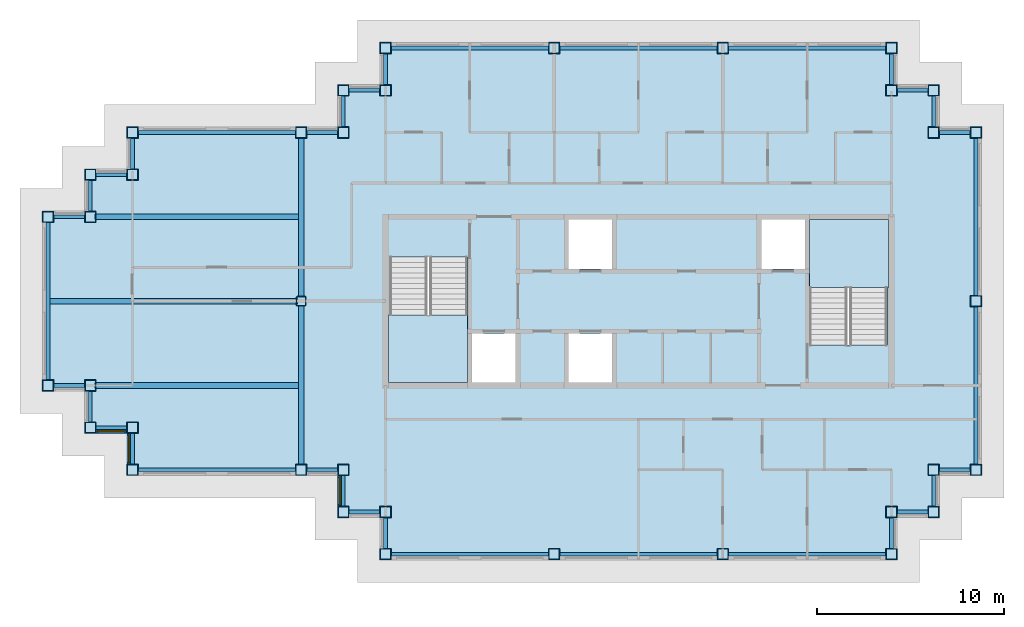
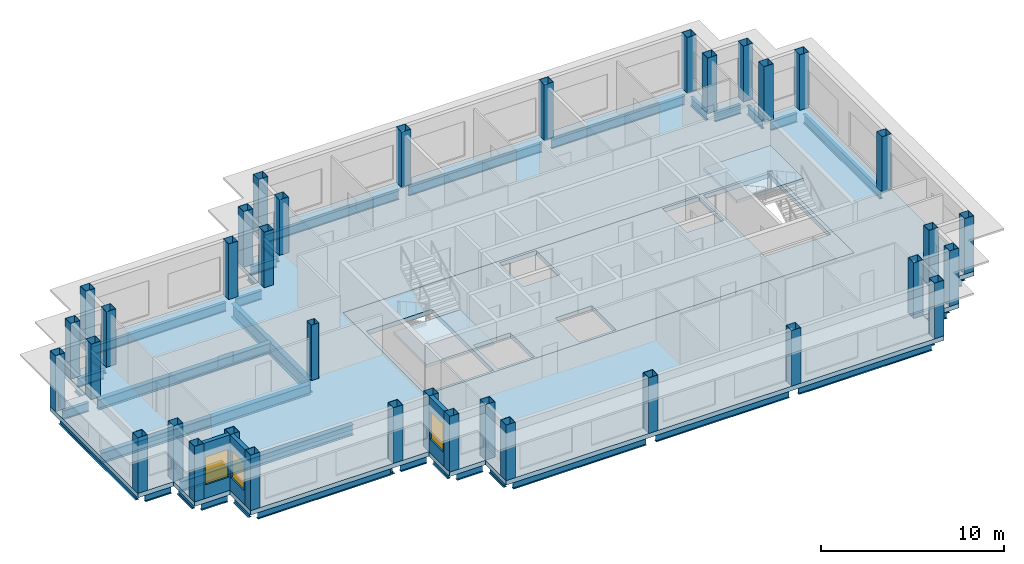
# One storey, part 1 of 11: 40 beams, 36 columns, 4 slabs, 3 walls, 3 windows, 3 openings, 2 elements without a shape of their own.
"""IFC4 building model written with IfcOpenShell, lengths in metres."""

from ifc_helpers import new_model, si_unit, direction, frame, frame_2d, origin, origin_2d, place, context, subcontext, project, spatial, polyline, rectangle, hollow_rectangle, i_section, outline, extrude, material, layer, layer_set, material_profile, profile_set, type_object, element, fill, aggregate, save


model = new_model("IFC4")

# Units and contexts
model_context = context("Model", 3, precision=1e-05, world=origin(), true_north=direction((0.0, 1.0)))
body_context = subcontext(model_context, "Body", "Model", "MODEL_VIEW")
ifc_project = project(units=[si_unit("LENGTHUNIT", "METRE"), si_unit("AREAUNIT", "SQUARE_METRE"), si_unit("VOLUMEUNIT", "CUBIC_METRE"), si_unit("PLANEANGLEUNIT", "RADIAN"), si_unit("MASSUNIT", "GRAM", prefix="KILO")], contexts=[model_context])

# Site, building, storey
site_placement = place(None, origin())
site = spatial("IfcSite", under=ifc_project, at=site_placement, CompositionType="ELEMENT")
building_placement = place(site_placement, origin())
building = spatial("IfcBuilding", under=site, at=building_placement, Name="Caravel Reach Hotel and Residences", CompositionType="ELEMENT")
storey_placement = place(building_placement, frame((0.0, 0.0, 271.199951171875)))
storey = spatial("IfcBuildingStorey", under=building, at=storey_placement, Name="L69", CompositionType="ELEMENT", Elevation=271.199951171875)

# Columns
ifc_material_1 = material(Name="Concrete-filled steel tube Q390B with Concrete C60 infill", Category="concrete")
ifc_material_profile_1 = material_profile(ifc_material_1, hollow_rectangle(XDim=0.5, YDim=0.5, WallThickness=0.01611328125, InnerFilletRadius=0.031982421875, OuterFilletRadius=0.048095703125, at=origin_2d()), Name="RHS 500x500x16")
ifc_profile_set_1 = profile_set([ifc_material_profile_1], Name="Concrete-filled steel tube Q390B with Concrete C60 infill")
column_type_1 = type_object("IfcColumnType", Name="CFT 500x500 Q390B C60", PredefinedType="COLUMN", material=ifc_profile_set_1)
column_placement = place(storey_placement, frame((13.5, 27.0, 0.0), z_axis=(0.0, 0.0, 1.0), x_axis=(1.0, 0.0, 0.0)))
element("IfcColumn", 1, at=column_placement, inside=storey, type_object=column_type_1, Name="C9 column", PredefinedType="COLUMN", context=body_context, shape_type="SweptSolid", body=[
    extrude(hollow_rectangle(XDim=0.5, YDim=0.5, WallThickness=0.01611328125, InnerFilletRadius=0.031982421875, OuterFilletRadius=0.048095703125, at=origin_2d()), origin(), (0.0, 0.0, 1.0), 3.699951171875),
])
ifc_material_2 = material(Name="Concrete-filled steel tube Q390B with Concrete C60 infill", Category="concrete")
ifc_material_profile_2 = material_profile(ifc_material_2, hollow_rectangle(XDim=0.60009765625, YDim=0.60009765625, WallThickness=0.02001953125, at=origin_2d()), Name="RHS 600x600x20")
ifc_profile_set_2 = profile_set([ifc_material_profile_2], Name="Concrete-filled steel tube Q390B with Concrete C60 infill")
column_type_2 = type_object("IfcColumnType", Name="CFT 600x600 Q390B C60", PredefinedType="COLUMN", material=ifc_profile_set_2)
for number, where, z_axis, x_axis, name in (
    (2, (15.75, 18.0, 0.0), (0.0, 0.0, 1.0), (1.0, 0.0, 0.0), "C8 column"),
    (3, (15.75, 15.75, 0.0), (0.0, 0.0, 1.0), (1.0, 0.0, 0.0), "C8 column"),
    (4, (18.0, 15.75, 0.0), (0.0, 0.0, 1.0), (1.0, 0.0, 0.0), "C8 column"),
    (5, (18.0, 13.5, 0.0), (0.0, 0.0, 1.0), (1.0, 0.0, 0.0), "C8 column"),
    (6, (27.0, 13.5, 0.0), (0.0, 0.0, 1.0), (1.0, 0.0, 0.0), "C8 column"),
    (7, (36.0, 13.5, 0.0), (0.0, 0.0, 1.0), (1.0, 0.0, 0.0), "C8 column"),
    (8, (45.0, 13.5, 0.0), (0.0, 0.0, 1.0), (1.0, 0.0, 0.0), "C8 column"),
    (9, (45.0, 15.75, 0.0), (0.0, 0.0, 1.0), (1.0, 0.0, 0.0), "C8 column"),
    (10, (47.25, 15.75, 0.0), (0.0, 0.0, 1.0), (1.0, 0.0, 0.0), "C8 column"),
    (11, (47.25, 18.0, 0.0), (0.0, 0.0, 1.0), (1.0, 0.0, 0.0), "C8 column"),
    (12, (49.5, 18.0, 0.0), (0.0, 0.0, 1.0), (1.0, 0.0, 0.0), "C8 column"),
    (13, (49.5, 27.0, 0.0), (0.0, 0.0, 1.0), (1.0, 0.0, 0.0), "C8 column"),
    (14, (49.5, 36.0, 0.0), (0.0, 0.0, 1.0), (1.0, 0.0, 0.0), "C8 column"),
    (15, (47.25, 36.0, 0.0), (0.0, 0.0, 1.0), (1.0, 0.0, 0.0), "C8 column"),
    (16, (47.25, 38.25, 0.0), (0.0, 0.0, 1.0), (1.0, 0.0, 0.0), "C8 column"),
    (17, (45.0, 38.25, 0.0), (0.0, 0.0, 1.0), (1.0, 0.0, 0.0), "C8 column"),
    (18, (45.0, 40.5, 0.0), (0.0, 0.0, 1.0), (1.0, 0.0, 0.0), "C8 column"),
    (19, (36.0, 40.5, 0.0), (0.0, 0.0, 1.0), (1.0, 0.0, 0.0), "C8 column"),
    (20, (27.0, 40.5, 0.0), (0.0, 0.0, 1.0), (1.0, 0.0, 0.0), "C8 column"),
    (21, (18.0, 40.5, 0.0), (0.0, 0.0, 1.0), (1.0, 0.0, 0.0), "C8 column"),
    (22, (18.0, 38.25, 0.0), (0.0, 0.0, 1.0), (1.0, 0.0, 0.0), "C8 column"),
    (23, (15.75, 38.25, 0.0), (0.0, 0.0, 1.0), (1.0, 0.0, 0.0), "C8 column"),
    (24, (15.75, 36.0, 0.0), (0.0, 0.0, 1.0), (1.0, 0.0, 0.0), "C8 column"),
    (25, (13.5, 36.0, 0.0), (0.0, 0.0, 1.0), (1.0, 0.0, 0.0), "C8 column"),
    (26, (4.5, 36.0, 0.0), (0.0, 0.0, 1.0), (1.0, 0.0, 0.0), "C8 column"),
    (27, (4.5, 33.75, 0.0), (0.0, 0.0, 1.0), (1.0, 0.0, 0.0), "C8 column"),
    (28, (2.25, 33.75, 0.0), (0.0, 0.0, 1.0), (1.0, 0.0, 0.0), "C8 column"),
    (29, (2.25, 31.5, 0.0), (0.0, 0.0, 1.0), (1.0, 0.0, 0.0), "C8 column"),
    (30, (0.0, 31.5, 0.0), (0.0, 0.0, 1.0), (1.0, 0.0, 0.0), "C8 column"),
    (31, (0.0, 22.5, 0.0), (0.0, 0.0, 1.0), (1.0, 0.0, 0.0), "C8 column"),
    (32, (2.25, 22.5, 0.0), (0.0, 0.0, 1.0), (1.0, 0.0, 0.0), "C8 column"),
    (33, (2.25, 20.25, 0.0), (0.0, 0.0, 1.0), (1.0, 0.0, 0.0), "C8 column"),
    (34, (4.5, 20.25, 0.0), (0.0, 0.0, 1.0), (1.0, 0.0, 0.0), "C8 column"),
    (35, (4.5, 18.0, 0.0), (0.0, 0.0, 1.0), (1.0, 0.0, 0.0), "C8 column"),
    (36, (13.5, 18.0, 0.0), (0.0, 0.0, 1.0), (1.0, 0.0, 0.0), "C8 column"),
):
    element("IfcColumn", number, at=place(storey_placement, frame(where, z_axis=z_axis, x_axis=x_axis)), inside=storey, type_object=column_type_2, Name=name, PredefinedType="COLUMN", context=body_context, shape_type="SweptSolid", body=[
        extrude(hollow_rectangle(XDim=0.60009765625, YDim=0.60009765625, WallThickness=0.02001953125, at=origin_2d()), origin(), (0.0, 0.0, 1.0), 3.699951171875),
    ])

# Beams
ifc_material_3 = material(Name="Structural steel Q355B", Category="steel")
ifc_material_profile_3 = material_profile(ifc_material_3, i_section(OverallWidth=0.300048828125, OverallDepth=0.699951171875, WebThickness=0.012939453125, FlangeThickness=0.02392578125, FilletRadius=0.01806640625, at=origin_2d()), Name="HN 700x300x13x24")
ifc_profile_set_3 = profile_set([ifc_material_profile_3], Name="Structural steel Q355B")
beam_type_1 = type_object("IfcBeamType", Name="Beam HN 700x300x13x24", PredefinedType="BEAM", material=ifc_profile_set_3)
beam_1_placement = place(storey_placement, frame((13.39990234375, 22.5, -0.64990234375), z_axis=(-1.0, 0.0, 0.0), x_axis=(0.0, -1.0, 0.0)))
element("IfcBeam", 37, at=beam_1_placement, inside=storey, type_object=beam_type_1, Name="B2 HN 700x300x13x24", PredefinedType="BEAM", context=body_context, shape_type="SweptSolid", body=[
    extrude(i_section(OverallWidth=0.300048828125, OverallDepth=0.699951171875, WebThickness=0.012939453125, FlangeThickness=0.02392578125, FilletRadius=0.01806640625, at=origin_2d()), origin(), (0.0, 0.0, 1.0), 10.89990234375),
])
beam_2_placement = place(storey_placement, frame((13.300048828125, 27.0, -0.64990234375), z_axis=(-1.0, 0.0, 0.0), x_axis=(0.0, -1.0, 0.0)))
element("IfcBeam", 38, at=beam_2_placement, inside=storey, type_object=beam_type_1, Name="B2 HN 700x300x13x24", PredefinedType="BEAM", context=body_context, shape_type="SweptSolid", body=[
    extrude(i_section(OverallWidth=0.300048828125, OverallDepth=0.699951171875, WebThickness=0.012939453125, FlangeThickness=0.02392578125, FilletRadius=0.01806640625, at=origin_2d()), origin(), (0.0, 0.0, 1.0), 13.199951171875),
])
beam_3_placement = place(storey_placement, frame((13.39990234375, 31.5, -0.64990234375), z_axis=(-1.0, 0.0, 0.0), x_axis=(0.0, -1.0, 0.0)))
element("IfcBeam", 39, at=beam_3_placement, inside=storey, type_object=beam_type_1, Name="B2 HN 700x300x13x24", PredefinedType="BEAM", context=body_context, shape_type="SweptSolid", body=[
    extrude(i_section(OverallWidth=0.300048828125, OverallDepth=0.699951171875, WebThickness=0.012939453125, FlangeThickness=0.02392578125, FilletRadius=0.01806640625, at=origin_2d()), origin(), (0.0, 0.0, 1.0), 10.89990234375),
])
ifc_material_4 = material(Name="Structural steel Q355B", Category="steel")
ifc_material_profile_4 = material_profile(ifc_material_4, i_section(OverallWidth=0.300048828125, OverallDepth=0.89990234375, WebThickness=0.01611328125, FlangeThickness=0.028076171875, FilletRadius=0.01806640625, at=origin_2d()), Name="HN 900x300x16x28")
ifc_profile_set_4 = profile_set([ifc_material_profile_4], Name="Structural steel Q355B")
beam_type_2 = type_object("IfcBeamType", Name="Beam HN 900x300x16x28", PredefinedType="BEAM", material=ifc_profile_set_4)
for number, where, z_axis, x_axis, name in (
    (40, (13.5, 18.300048828125, -0.75), (0.0, 1.0, 0.0), (-1.0, 0.0, 0.0), "B3 HN 900x300x16x28"),
    (41, (13.5, 27.25, -0.75), (0.0, 1.0, 0.0), (-1.0, 0.0, 0.0), "B3 HN 900x300x16x28"),
):
    element("IfcBeam", number, at=place(storey_placement, frame(where, z_axis=z_axis, x_axis=x_axis)), inside=storey, type_object=beam_type_2, Name=name, PredefinedType="BEAM", context=body_context, shape_type="SweptSolid", body=[
        extrude(i_section(OverallWidth=0.300048828125, OverallDepth=0.89990234375, WebThickness=0.01611328125, FlangeThickness=0.028076171875, FilletRadius=0.01806640625, at=origin_2d()), origin(), (0.0, 0.0, 1.0), 8.449951171875),
    ])
ifc_material_5 = material(Name="Structural steel Q355B", Category="steel")
ifc_material_profile_5 = material_profile(ifc_material_5, i_section(OverallWidth=0.199951171875, OverallDepth=0.60009765625, WebThickness=0.010986328125, FlangeThickness=0.01708984375, FilletRadius=0.012939453125, at=origin_2d()), Name="HN 600x200x11x17")
ifc_profile_set_5 = profile_set([ifc_material_profile_5], Name="Structural steel Q355B")
beam_type_3 = type_object("IfcBeamType", Name="Spandrel beam HN 600x200x11x17", PredefinedType="SPANDREL", material=ifc_profile_set_5)
for number, where, z_axis, x_axis, name in (
    (42, (15.75, 17.699951171875, -0.599853515625), (0.0, -1.0, 0.0), (1.0, 0.0, 0.0), "SP1 HN 600x200x11x17"),
    (43, (16.050048828125, 15.75, -0.599853515625), (1.0, 0.0, 0.0), (0.0, 1.0, 0.0), "SP1 HN 600x200x11x17"),
    (44, (18.0, 15.449951171875, -0.599853515625), (0.0, -1.0, 0.0), (1.0, 0.0, 0.0), "SP1 HN 600x200x11x17"),
):
    element("IfcBeam", number, at=place(storey_placement, frame(where, z_axis=z_axis, x_axis=x_axis)), inside=storey, type_object=beam_type_3, Name=name, PredefinedType="SPANDREL", context=body_context, shape_type="SweptSolid", body=[
        extrude(i_section(OverallWidth=0.199951171875, OverallDepth=0.60009765625, WebThickness=0.010986328125, FlangeThickness=0.01708984375, FilletRadius=0.012939453125, at=origin_2d()), origin(), (0.0, 0.0, 1.0), 1.64990234375),
    ])
for number, where, z_axis, x_axis, name in (
    (45, (18.300048828125, 13.5, -0.599853515625), (1.0, 0.0, 0.0), (0.0, 1.0, 0.0), "SP1 HN 600x200x11x17"),
    (46, (27.300048828125, 13.5, -0.599853515625), (1.0, 0.0, 0.0), (0.0, 1.0, 0.0), "SP1 HN 600x200x11x17"),
    (47, (36.300048828125, 13.5, -0.599853515625), (1.0, 0.0, 0.0), (0.0, 1.0, 0.0), "SP1 HN 600x200x11x17"),
):
    element("IfcBeam", number, at=place(storey_placement, frame(where, z_axis=z_axis, x_axis=x_axis)), inside=storey, type_object=beam_type_3, Name=name, PredefinedType="SPANDREL", context=body_context, shape_type="SweptSolid", body=[
        extrude(i_section(OverallWidth=0.199951171875, OverallDepth=0.60009765625, WebThickness=0.010986328125, FlangeThickness=0.01708984375, FilletRadius=0.012939453125, at=origin_2d()), origin(), (0.0, 0.0, 1.0), 8.39990234375),
    ])
for number, where, z_axis, x_axis, name in (
    (48, (45.0, 13.800048828125, -0.599853515625), (0.0, 1.0, 0.0), (-1.0, 0.0, 0.0), "SP1 HN 600x200x11x17"),
    (49, (45.300048828125, 15.75, -0.599853515625), (1.0, 0.0, 0.0), (0.0, 1.0, 0.0), "SP1 HN 600x200x11x17"),
    (50, (47.25, 16.050048828125, -0.599853515625), (0.0, 1.0, 0.0), (-1.0, 0.0, 0.0), "SP1 HN 600x200x11x17"),
    (51, (47.550048828125, 18.0, -0.599853515625), (1.0, 0.0, 0.0), (0.0, 1.0, 0.0), "SP1 HN 600x200x11x17"),
):
    element("IfcBeam", number, at=place(storey_placement, frame(where, z_axis=z_axis, x_axis=x_axis)), inside=storey, type_object=beam_type_3, Name=name, PredefinedType="SPANDREL", context=body_context, shape_type="SweptSolid", body=[
        extrude(i_section(OverallWidth=0.199951171875, OverallDepth=0.60009765625, WebThickness=0.010986328125, FlangeThickness=0.01708984375, FilletRadius=0.012939453125, at=origin_2d()), origin(), (0.0, 0.0, 1.0), 1.64990234375),
    ])
for number, where, z_axis, x_axis, name in (
    (52, (49.5, 18.300048828125, -0.599853515625), (0.0, 1.0, 0.0), (-1.0, 0.0, 0.0), "SP1 HN 600x200x11x17"),
    (53, (49.5, 27.300048828125, -0.599853515625), (0.0, 1.0, 0.0), (-1.0, 0.0, 0.0), "SP1 HN 600x200x11x17"),
):
    element("IfcBeam", number, at=place(storey_placement, frame(where, z_axis=z_axis, x_axis=x_axis)), inside=storey, type_object=beam_type_3, Name=name, PredefinedType="SPANDREL", context=body_context, shape_type="SweptSolid", body=[
        extrude(i_section(OverallWidth=0.199951171875, OverallDepth=0.60009765625, WebThickness=0.010986328125, FlangeThickness=0.01708984375, FilletRadius=0.012939453125, at=origin_2d()), origin(), (0.0, 0.0, 1.0), 8.39990234375),
    ])
for number, where, z_axis, x_axis, name in (
    (54, (49.199951171875, 36.0, -0.599853515625), (-1.0, 0.0, 0.0), (0.0, -1.0, 0.0), "SP1 HN 600x200x11x17"),
    (55, (47.25, 36.300048828125, -0.599853515625), (0.0, 1.0, 0.0), (-1.0, 0.0, 0.0), "SP1 HN 600x200x11x17"),
    (56, (46.949951171875, 38.25, -0.599853515625), (-1.0, 0.0, 0.0), (0.0, -1.0, 0.0), "SP1 HN 600x200x11x17"),
    (57, (45.0, 38.550048828125, -0.599853515625), (0.0, 1.0, 0.0), (-1.0, 0.0, 0.0), "SP1 HN 600x200x11x17"),
):
    element("IfcBeam", number, at=place(storey_placement, frame(where, z_axis=z_axis, x_axis=x_axis)), inside=storey, type_object=beam_type_3, Name=name, PredefinedType="SPANDREL", context=body_context, shape_type="SweptSolid", body=[
        extrude(i_section(OverallWidth=0.199951171875, OverallDepth=0.60009765625, WebThickness=0.010986328125, FlangeThickness=0.01708984375, FilletRadius=0.012939453125, at=origin_2d()), origin(), (0.0, 0.0, 1.0), 1.64990234375),
    ])
for number, where, z_axis, x_axis, name in (
    (58, (44.699951171875, 40.5, -0.599853515625), (-1.0, 0.0, 0.0), (0.0, -1.0, 0.0), "SP1 HN 600x200x11x17"),
    (59, (35.699951171875, 40.5, -0.599853515625), (-1.0, 0.0, 0.0), (0.0, -1.0, 0.0), "SP1 HN 600x200x11x17"),
    (60, (26.699951171875, 40.5, -0.599853515625), (-1.0, 0.0, 0.0), (0.0, -1.0, 0.0), "SP1 HN 600x200x11x17"),
):
    element("IfcBeam", number, at=place(storey_placement, frame(where, z_axis=z_axis, x_axis=x_axis)), inside=storey, type_object=beam_type_3, Name=name, PredefinedType="SPANDREL", context=body_context, shape_type="SweptSolid", body=[
        extrude(i_section(OverallWidth=0.199951171875, OverallDepth=0.60009765625, WebThickness=0.010986328125, FlangeThickness=0.01708984375, FilletRadius=0.012939453125, at=origin_2d()), origin(), (0.0, 0.0, 1.0), 8.39990234375),
    ])
for number, where, z_axis, x_axis, name in (
    (61, (18.0, 40.199951171875, -0.599853515625), (0.0, -1.0, 0.0), (1.0, 0.0, 0.0), "SP1 HN 600x200x11x17"),
    (62, (17.699951171875, 38.25, -0.599853515625), (-1.0, 0.0, 0.0), (0.0, -1.0, 0.0), "SP1 HN 600x200x11x17"),
    (63, (15.75, 37.949951171875, -0.599853515625), (0.0, -1.0, 0.0), (1.0, 0.0, 0.0), "SP1 HN 600x200x11x17"),
    (64, (15.449951171875, 36.0, -0.599853515625), (-1.0, 0.0, 0.0), (0.0, -1.0, 0.0), "SP1 HN 600x200x11x17"),
):
    element("IfcBeam", number, at=place(storey_placement, frame(where, z_axis=z_axis, x_axis=x_axis)), inside=storey, type_object=beam_type_3, Name=name, PredefinedType="SPANDREL", context=body_context, shape_type="SweptSolid", body=[
        extrude(i_section(OverallWidth=0.199951171875, OverallDepth=0.60009765625, WebThickness=0.010986328125, FlangeThickness=0.01708984375, FilletRadius=0.012939453125, at=origin_2d()), origin(), (0.0, 0.0, 1.0), 1.64990234375),
    ])
beam_4_placement = place(storey_placement, frame((13.199951171875, 36.0, -0.599853515625), z_axis=(-1.0, 0.0, 0.0), x_axis=(0.0, -1.0, 0.0)))
element("IfcBeam", 65, at=beam_4_placement, inside=storey, type_object=beam_type_3, Name="SP1 HN 600x200x11x17", PredefinedType="SPANDREL", context=body_context, shape_type="SweptSolid", body=[
    extrude(i_section(OverallWidth=0.199951171875, OverallDepth=0.60009765625, WebThickness=0.010986328125, FlangeThickness=0.01708984375, FilletRadius=0.012939453125, at=origin_2d()), origin(), (0.0, 0.0, 1.0), 8.39990234375),
])
for number, where, z_axis, x_axis, name in (
    (66, (4.5, 35.699951171875, -0.599853515625), (0.0, -1.0, 0.0), (1.0, 0.0, 0.0), "SP1 HN 600x200x11x17"),
    (67, (4.199951171875, 33.75, -0.599853515625), (-1.0, 0.0, 0.0), (0.0, -1.0, 0.0), "SP1 HN 600x200x11x17"),
    (68, (2.25, 33.449951171875, -0.599853515625), (0.0, -1.0, 0.0), (1.0, 0.0, 0.0), "SP1 HN 600x200x11x17"),
    (69, (1.949951171875, 31.5, -0.599853515625), (-1.0, 0.0, 0.0), (0.0, -1.0, 0.0), "SP1 HN 600x200x11x17"),
):
    element("IfcBeam", number, at=place(storey_placement, frame(where, z_axis=z_axis, x_axis=x_axis)), inside=storey, type_object=beam_type_3, Name=name, PredefinedType="SPANDREL", context=body_context, shape_type="SweptSolid", body=[
        extrude(i_section(OverallWidth=0.199951171875, OverallDepth=0.60009765625, WebThickness=0.010986328125, FlangeThickness=0.01708984375, FilletRadius=0.012939453125, at=origin_2d()), origin(), (0.0, 0.0, 1.0), 1.64990234375),
    ])
beam_5_placement = place(storey_placement, frame((0.0, 31.199951171875, -0.599853515625), z_axis=(0.0, -1.0, 0.0), x_axis=(1.0, 0.0, 0.0)))
element("IfcBeam", 70, at=beam_5_placement, inside=storey, type_object=beam_type_3, Name="SP1 HN 600x200x11x17", PredefinedType="SPANDREL", context=body_context, shape_type="SweptSolid", body=[
    extrude(i_section(OverallWidth=0.199951171875, OverallDepth=0.60009765625, WebThickness=0.010986328125, FlangeThickness=0.01708984375, FilletRadius=0.012939453125, at=origin_2d()), origin(), (0.0, 0.0, 1.0), 8.39990234375),
])
for number, where, z_axis, x_axis, name in (
    (71, (0.300048828125, 22.5, -0.599853515625), (1.0, 0.0, 0.0), (0.0, 1.0, 0.0), "SP1 HN 600x200x11x17"),
    (72, (2.25, 22.199951171875, -0.599853515625), (0.0, -1.0, 0.0), (1.0, 0.0, 0.0), "SP1 HN 600x200x11x17"),
    (73, (2.550048828125, 20.25, -0.599853515625), (1.0, 0.0, 0.0), (0.0, 1.0, 0.0), "SP1 HN 600x200x11x17"),
    (74, (4.5, 19.949951171875, -0.599853515625), (0.0, -1.0, 0.0), (1.0, 0.0, 0.0), "SP1 HN 600x200x11x17"),
):
    element("IfcBeam", number, at=place(storey_placement, frame(where, z_axis=z_axis, x_axis=x_axis)), inside=storey, type_object=beam_type_3, Name=name, PredefinedType="SPANDREL", context=body_context, shape_type="SweptSolid", body=[
        extrude(i_section(OverallWidth=0.199951171875, OverallDepth=0.60009765625, WebThickness=0.010986328125, FlangeThickness=0.01708984375, FilletRadius=0.012939453125, at=origin_2d()), origin(), (0.0, 0.0, 1.0), 1.64990234375),
    ])
beam_6_placement = place(storey_placement, frame((4.800048828125, 18.0, -0.599853515625), z_axis=(1.0, 0.0, 0.0), x_axis=(0.0, 1.0, 0.0)))
element("IfcBeam", 75, at=beam_6_placement, inside=storey, type_object=beam_type_3, Name="SP1 HN 600x200x11x17", PredefinedType="SPANDREL", context=body_context, shape_type="SweptSolid", body=[
    extrude(i_section(OverallWidth=0.199951171875, OverallDepth=0.60009765625, WebThickness=0.010986328125, FlangeThickness=0.01708984375, FilletRadius=0.012939453125, at=origin_2d()), origin(), (0.0, 0.0, 1.0), 8.39990234375),
])
beam_7_placement = place(storey_placement, frame((13.800048828125, 18.0, -0.599853515625), z_axis=(1.0, 0.0, 0.0), x_axis=(0.0, 1.0, 0.0)))
element("IfcBeam", 76, at=beam_7_placement, inside=storey, type_object=beam_type_3, Name="SP1 HN 600x200x11x17", PredefinedType="SPANDREL", context=body_context, shape_type="SweptSolid", body=[
    extrude(i_section(OverallWidth=0.199951171875, OverallDepth=0.60009765625, WebThickness=0.010986328125, FlangeThickness=0.01708984375, FilletRadius=0.012939453125, at=origin_2d()), origin(), (0.0, 0.0, 1.0), 1.64990234375),
])

# Slab
ifc_material_6 = material(Name="Concrete C40", Category="concrete")
ifc_layer_1 = layer(ifc_material_6, 0.300048828125)
ifc_layer_set_1 = layer_set([ifc_layer_1], Name="Core floor slab 300 mm")
slab_type_1 = type_object("IfcSlabType", Name="Core floor slab 300 mm", PredefinedType="FLOOR", material=ifc_layer_set_1)
slab_1_placement = place(storey_placement, frame((0.0, 0.0, -0.300048828125)))
element("IfcSlab", 77, at=slab_1_placement, inside=storey, type_object=slab_type_1, Name="L69 core floor", PredefinedType="FLOOR", context=body_context, shape_type="SweptSolid", body=[
    extrude(outline(polyline([(18.0, 31.5), (45.0, 31.5), (45.0, 22.5), (18.0, 22.5), (18.0, 31.5)]), holes=[polyline([(22.625, 22.64990234375), (24.9462890625, 22.64990234375), (24.9462890625, 25.27490234375), (22.625, 25.27490234375), (22.625, 22.64990234375)]), polyline([(27.767822265625, 25.27490234375), (27.767822265625, 22.64990234375), (30.08935546875, 22.64990234375), (30.08935546875, 25.27490234375), (27.767822265625, 25.27490234375)]), polyline([(22.375, 22.64990234375), (22.375, 29.35009765625), (18.22509765625, 29.35009765625), (18.22509765625, 22.64990234375), (22.375, 22.64990234375)]), polyline([(40.625, 24.64990234375), (44.77490234375, 24.64990234375), (44.77490234375, 31.35009765625), (40.625, 31.35009765625), (40.625, 24.64990234375)]), polyline([(27.767822265625, 31.35009765625), (27.767822265625, 28.72509765625), (30.08935546875, 28.72509765625), (30.08935546875, 31.35009765625), (27.767822265625, 31.35009765625)]), polyline([(38.0537109375, 31.35009765625), (38.0537109375, 28.72509765625), (40.375, 28.72509765625), (40.375, 31.35009765625), (38.0537109375, 31.35009765625)])]), origin(), (0.0, 0.0, 1.0), 0.300048828125),
])

# Stair, slab
ifc_material_7 = material(Name="Concrete C40", Category="concrete")
stair_type = type_object("IfcStairType", Name="Core stair", PredefinedType="HALF_TURN_STAIR", material=ifc_material_7)
stair_1_placement = place(storey_placement, origin())
stair_1 = element("IfcStair", 78, at=stair_1_placement, inside=storey, type_object=stair_type, Name="L69 Exit stair A", PredefinedType="HALF_TURN_STAIR")
ifc_material_8 = material(Name="Concrete C40", Category="concrete")
ifc_layer_2 = layer(ifc_material_8, 0.199951171875)
ifc_layer_set_2 = layer_set([ifc_layer_2], Name="Core stair landing")
slab_type_2 = type_object("IfcSlabType", Name="Core stair landing", PredefinedType="LANDING", material=ifc_layer_set_2)
slab_2_placement = place(storey_placement, frame((0.0, 0.0, 1.650146484375)))
slab_2 = element("IfcSlab", 79, at=slab_2_placement, type_object=slab_type_2, Name="ST-A landing 1", PredefinedType="LANDING", context=body_context, shape_type="SweptSolid", body=[
    extrude(outline(polyline([(18.14990234375, 26.27001953125), (18.14990234375, 22.64990234375), (22.375, 22.64990234375), (22.375, 26.27001953125), (18.14990234375, 26.27001953125)])), origin(), (0.0, 0.0, 1.0), 0.199951171875),
])
aggregate(stair_1, [slab_2])

stair_2_placement = place(storey_placement, origin())
stair_2 = element("IfcStair", 80, at=stair_2_placement, inside=storey, type_object=stair_type, Name="L69 Exit stair B", PredefinedType="HALF_TURN_STAIR")
slab_3_placement = place(storey_placement, frame((0.0, 0.0, 1.650146484375)))
slab_3 = element("IfcSlab", 81, at=slab_3_placement, type_object=slab_type_2, Name="ST-B landing 1", PredefinedType="LANDING", context=body_context, shape_type="SweptSolid", body=[
    extrude(outline(polyline([(44.85009765625, 27.72998046875), (44.85009765625, 31.35009765625), (40.625, 31.35009765625), (40.625, 27.72998046875), (44.85009765625, 27.72998046875)])), origin(), (0.0, 0.0, 1.0), 0.199951171875),
])
aggregate(stair_2, [slab_3])

# Slab
ifc_material_9 = material(Name="Concrete C40 post-tensioned", Category="concrete")
ifc_layer_3 = layer(ifc_material_9, 0.300048828125)
ifc_layer_set_3 = layer_set([ifc_layer_3], Name="Floor slab 300")
slab_type_3 = type_object("IfcSlabType", Name="Floor slab 300", PredefinedType="FLOOR", material=ifc_layer_set_3)
slab_4_placement = place(storey_placement, frame((0.0, 0.0, -0.300048828125)))
element("IfcSlab", 82, at=slab_4_placement, inside=storey, type_object=slab_type_3, Name="S2 slab L69", PredefinedType="FLOOR", context=body_context, shape_type="SweptSolid", body=[
    extrude(outline(polyline([(4.199951171875, 19.949951171875), (1.949951171875, 19.949951171875), (1.949951171875, 22.199951171875), (-0.300048828125, 22.199951171875), (-0.300048828125, 31.800048828125), (1.949951171875, 31.800048828125), (1.949951171875, 34.050048828125), (4.199951171875, 34.050048828125), (4.199951171875, 36.300048828125), (15.449951171875, 36.300048828125), (15.449951171875, 38.550048828125), (17.699951171875, 38.550048828125), (17.699951171875, 40.800048828125), (45.300048828125, 40.800048828125), (45.300048828125, 38.550048828125), (47.550048828125, 38.550048828125), (47.550048828125, 36.300048828125), (49.800048828125, 36.300048828125), (49.800048828125, 17.699951171875), (47.550048828125, 17.699951171875), (47.550048828125, 15.449951171875), (45.300048828125, 15.449951171875), (45.300048828125, 13.199951171875), (17.699951171875, 13.199951171875), (17.699951171875, 15.449951171875), (15.449951171875, 15.449951171875), (15.449951171875, 17.699951171875), (4.199951171875, 17.699951171875), (4.199951171875, 19.949951171875)]), holes=[polyline([(45.0, 31.5), (18.0, 31.5), (18.0, 22.5), (45.0, 22.5), (45.0, 31.5)])]), origin(), (0.0, 0.0, 1.0), 0.300048828125),
])

# Wall, opening, window
ifc_material_10 = material(Name="Insulated rainscreen wall, aluminium cladding", Category="aluminium")
ifc_layer_4 = layer(ifc_material_10, 0.25)
ifc_layer_set_4 = layer_set([ifc_layer_4], Name="EW1 Tower rainscreen wall")
wall_type = type_object("IfcWallType", Name="EW1 Tower rainscreen wall", PredefinedType="SOLIDWALL", material=ifc_layer_set_4)
wall_1_placement = place(storey_placement, frame((15.574951171875, 17.699951171875, 0.0), z_axis=(0.0, 0.0, 1.0), x_axis=(0.0, -1.0, 0.0)))
wall_1 = element("IfcWall", 83, at=wall_1_placement, inside=storey, type_object=wall_type, Name="External wall L69 W1.1", PredefinedType="SOLIDWALL", context=body_context, shape_type="SweptSolid", body=[
    extrude(rectangle(XDim=1.64990234375, YDim=0.25, at=frame_2d((0.824951171875, 0.0))), origin(), (0.0, 0.0, 1.0), 3.699951171875),
])
opening_1_placement = place(wall_1_placement, frame((0.10009765625, 0.0, 0.89990234375)))
opening_1 = element("IfcOpeningElement", 84, at=opening_1_placement, cuts=wall_1, Name="Opening WN25", PredefinedType="OPENING", context=body_context, shape_type="SweptSolid", body=[
    extrude(rectangle(XDim=1.449951171875, YDim=1.85009765625, at=frame_2d((0.72509765625, 0.925048828125))), frame((0.0, 0.135009765625, 0.0), z_axis=(0.0, -1.0, 0.0), x_axis=(1.0, 0.0, 0.0)), (0.0, 0.0, 1.0), 0.27001953125),
])
ifc_material_11 = material(Name="Dark low-e glazing in black aluminium frame", Category="aluminium")
window_type = type_object("IfcWindowType", Name="Residence bedroom window 1450 x 1850", PartitioningType="SINGLE_PANEL", PredefinedType="WINDOW", material=ifc_material_11)
window_1_placement = place(opening_1_placement, origin())
window_1 = element("IfcWindow", 85, at=window_1_placement, inside=storey, type_object=window_type, Name="Window L69 W1.1.1", OverallHeight=1.85009765625, OverallWidth=1.449951171875, PartitioningType="SINGLE_PANEL", PredefinedType="WINDOW", context=body_context, shape_type="SweptSolid", body=[
    extrude(rectangle(XDim=1.449951171875, YDim=1.85009765625, at=frame_2d((0.72509765625, 0.925048828125))), frame((0.0, 0.030029296875, 0.0), z_axis=(0.0, -1.0, 0.0), x_axis=(1.0, 0.0, 0.0)), (0.0, 0.0, 1.0), 0.06005859375),
])
fill(opening_1, window_1)

wall_2_placement = place(storey_placement, frame((2.550048828125, 20.074951171875, 0.0), z_axis=(0.0, 0.0, 1.0), x_axis=(1.0, 0.0, 0.0)))
wall_2 = element("IfcWall", 86, at=wall_2_placement, inside=storey, type_object=wall_type, Name="External wall L69 S26.1", PredefinedType="SOLIDWALL", context=body_context, shape_type="SweptSolid", body=[
    extrude(rectangle(XDim=1.64990234375, YDim=0.25, at=frame_2d((0.824951171875, 0.0))), origin(), (0.0, 0.0, 1.0), 3.699951171875),
])
opening_2_placement = place(wall_2_placement, frame((0.10009765625, 0.0, 0.89990234375)))
opening_2 = element("IfcOpeningElement", 87, at=opening_2_placement, cuts=wall_2, Name="Opening WN25", PredefinedType="OPENING", context=body_context, shape_type="SweptSolid", body=[
    extrude(rectangle(XDim=1.449951171875, YDim=1.85009765625, at=frame_2d((0.72509765625, 0.925048828125))), frame((0.0, 0.135009765625, 0.0), z_axis=(0.0, -1.0, 0.0), x_axis=(1.0, 0.0, 0.0)), (0.0, 0.0, 1.0), 0.27001953125),
])
window_2_placement = place(opening_2_placement, origin())
window_2 = element("IfcWindow", 88, at=window_2_placement, inside=storey, type_object=window_type, Name="Window L69 S26.1.1", OverallHeight=1.85009765625, OverallWidth=1.449951171875, PartitioningType="SINGLE_PANEL", PredefinedType="WINDOW", context=body_context, shape_type="SweptSolid", body=[
    extrude(rectangle(XDim=1.449951171875, YDim=1.85009765625, at=frame_2d((0.72509765625, 0.925048828125))), frame((0.0, 0.030029296875, 0.0), z_axis=(0.0, -1.0, 0.0), x_axis=(1.0, 0.0, 0.0)), (0.0, 0.0, 1.0), 0.06005859375),
])
fill(opening_2, window_2)

wall_3_placement = place(storey_placement, frame((4.324951171875, 19.949951171875, 0.0), z_axis=(0.0, 0.0, 1.0), x_axis=(0.0, -1.0, 0.0)))
wall_3 = element("IfcWall", 89, at=wall_3_placement, inside=storey, type_object=wall_type, Name="External wall L69 W27.1", PredefinedType="SOLIDWALL", context=body_context, shape_type="SweptSolid", body=[
    extrude(rectangle(XDim=1.64990234375, YDim=0.25, at=frame_2d((0.824951171875, 0.0))), origin(), (0.0, 0.0, 1.0), 3.699951171875),
])
opening_3_placement = place(wall_3_placement, frame((0.10009765625, 0.0, 0.89990234375)))
opening_3 = element("IfcOpeningElement", 90, at=opening_3_placement, cuts=wall_3, Name="Opening WN25", PredefinedType="OPENING", context=body_context, shape_type="SweptSolid", body=[
    extrude(rectangle(XDim=1.449951171875, YDim=1.85009765625, at=frame_2d((0.72509765625, 0.925048828125))), frame((0.0, 0.135009765625, 0.0), z_axis=(0.0, -1.0, 0.0), x_axis=(1.0, 0.0, 0.0)), (0.0, 0.0, 1.0), 0.27001953125),
])
window_3_placement = place(opening_3_placement, origin())
window_3 = element("IfcWindow", 91, at=window_3_placement, inside=storey, type_object=window_type, Name="Window L69 W27.1.1", OverallHeight=1.85009765625, OverallWidth=1.449951171875, PartitioningType="SINGLE_PANEL", PredefinedType="WINDOW", context=body_context, shape_type="SweptSolid", body=[
    extrude(rectangle(XDim=1.449951171875, YDim=1.85009765625, at=frame_2d((0.72509765625, 0.925048828125))), frame((0.0, 0.030029296875, 0.0), z_axis=(0.0, -1.0, 0.0), x_axis=(1.0, 0.0, 0.0)), (0.0, 0.0, 1.0), 0.06005859375),
])
fill(opening_3, window_3)

save(model, "model.ifc")
